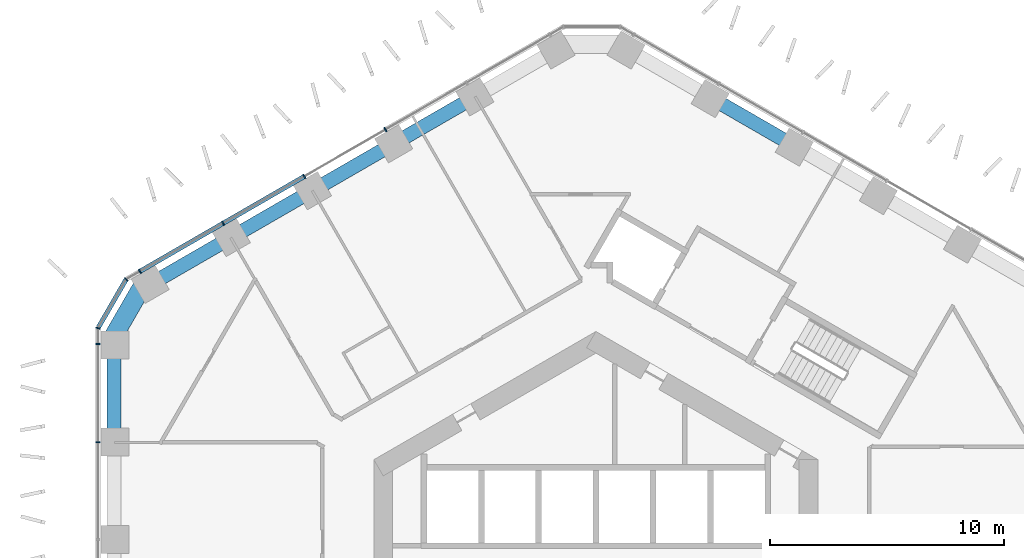
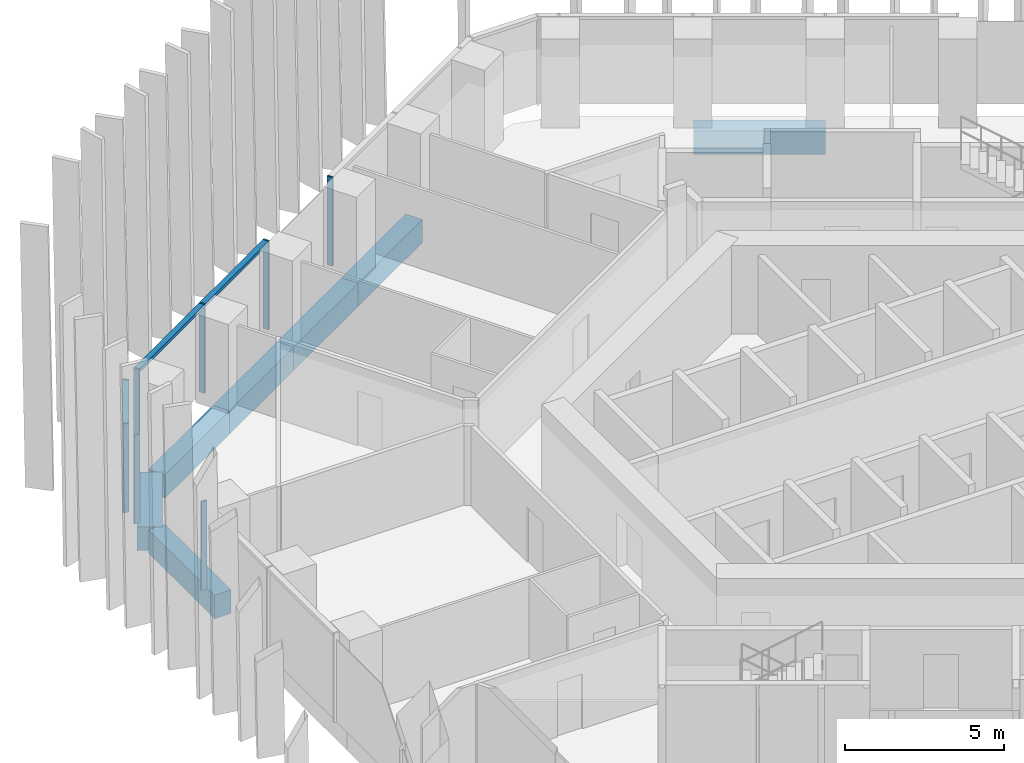
# One storey, part 5 of 20: 10 members, 7 beams, 3 elements without a shape of their own.
"""IFC4 building model written with IfcOpenShell, lengths in metres."""

from ifc_helpers import new_model, si_unit, direction, frame, origin, origin_2d, place, context, subcontext, project, spatial, rectangle, extrude, material, layer, layer_set, material_profile, profile_set, type_object, element, aggregate, save


model = new_model("IFC4")

# Units and contexts
model_context = context("Model", 3, precision=1e-05, world=origin(), true_north=direction((0.0, 1.0)))
body_context = subcontext(model_context, "Body", "Model", "MODEL_VIEW")
ifc_project = project(units=[si_unit("LENGTHUNIT", "METRE"), si_unit("AREAUNIT", "SQUARE_METRE"), si_unit("VOLUMEUNIT", "CUBIC_METRE"), si_unit("PLANEANGLEUNIT", "RADIAN"), si_unit("MASSUNIT", "GRAM", prefix="KILO")], contexts=[model_context])

# Site, building, storey
site_placement = place(None, origin())
site = spatial("IfcSite", under=ifc_project, at=site_placement, CompositionType="ELEMENT")
building_placement = place(site_placement, origin())
building = spatial("IfcBuilding", under=site, at=building_placement, Name="Ayvan Gate Tower", CompositionType="ELEMENT")
storey_placement = place(building_placement, frame((0.0, 0.0, 35.699951171875)))
storey = spatial("IfcBuildingStorey", under=building, at=storey_placement, Name="L08", CompositionType="ELEMENT", Elevation=35.699951171875)

# Beams
ifc_material_1 = material(Name="Concrete C40/50", Category="concrete")
ifc_material_profile_1 = material_profile(ifc_material_1, rectangle(XDim=0.800048828125, YDim=0.89990234375, at=origin_2d()), Name="RC 800x900")
ifc_profile_set_1 = profile_set([ifc_material_profile_1], Name="Concrete C40/50")
beam_type_1 = type_object("IfcBeamType", Name="Corner spandrel beam RC 800x900 C40/50", PredefinedType="BEAM", material=ifc_profile_set_1)
beam_1_placement = place(storey_placement, frame((-19.31103515625, 13.07080078125, -0.800048828125), z_axis=(-0.499990139034, -0.866031096941, 0.0), x_axis=(0.866031096941, -0.499990139034, 0.0)))
element("IfcBeam", 1, at=beam_1_placement, inside=storey, type_object=beam_type_1, Name="SB-L08-18", PredefinedType="BEAM", context=body_context, shape_type="SweptSolid", body=[
    extrude(rectangle(XDim=0.800048828125, YDim=0.89990234375, at=origin_2d()), origin(), (0.0, 0.0, 1.0), 3.0),
])
ifc_material_profile_2 = material_profile(ifc_material_1, rectangle(XDim=0.60009765625, YDim=0.89990234375, at=origin_2d()), Name="RC 600x900")
ifc_profile_set_2 = profile_set([ifc_material_profile_2], Name="Concrete C40/50")
beam_type_2 = type_object("IfcBeamType", Name="Spandrel beam RC 600x900 C40/50", PredefinedType="BEAM", material=ifc_profile_set_2)
beam_2_placement = place(storey_placement, frame((8.515380859375, 18.894287109375, -0.800048828125), z_axis=(-0.866019818373, 0.500009674092, 0.0), x_axis=(-0.500009674092, -0.866019818373, 0.0)))
element("IfcBeam", 2, at=beam_2_placement, inside=storey, type_object=beam_type_2, Name="SB-L08-10", PredefinedType="BEAM", context=body_context, shape_type="SweptSolid", body=[
    extrude(rectangle(XDim=0.60009765625, YDim=0.89990234375, at=origin_2d()), origin(), (0.0, 0.0, 1.0), 4.14501953125),
])
beam_3_placement = place(storey_placement, frame((-5.1552734375, 21.0234375, -0.800048828125), z_axis=(-0.866043397086, -0.499968833392, 0.0), x_axis=(0.499968833392, -0.866043397086, 0.0)))
element("IfcBeam", 3, at=beam_3_placement, inside=storey, type_object=beam_type_2, Name="SB-L08-14", PredefinedType="BEAM", context=body_context, shape_type="SweptSolid", body=[
    extrude(rectangle(XDim=0.60009765625, YDim=0.89990234375, at=origin_2d()), origin(), (0.0, 0.0, 1.0), 4.031494140625),
])
for number, where, z_axis, x_axis, name in (
    (4, (-8.646728515625, 19.0078125, -0.800048828125), (-0.866028258222, -0.499995055936, 0.0), (0.499995055936, -0.866028258222, 0.0), "SB-L08-15"),
    (5, (-12.137939453125, 16.9921875, -0.800048828125), (-0.866028258222, -0.499995055936, 0.0), (0.499995055936, -0.866028258222, 0.0), "SB-L08-16"),
):
    element("IfcBeam", number, at=place(storey_placement, frame(where, z_axis=z_axis, x_axis=x_axis)), inside=storey, type_object=beam_type_2, Name=name, PredefinedType="BEAM", context=body_context, shape_type="SweptSolid", body=[
        extrude(rectangle(XDim=0.60009765625, YDim=0.89990234375, at=origin_2d()), origin(), (0.0, 0.0, 1.0), 4.03125),
    ])
beam_4_placement = place(storey_placement, frame((-15.629150390625, 14.9765625, -0.800048828125), z_axis=(-0.866017175291, -0.500014251897, 0.0), x_axis=(0.500014251897, -0.866017175291, 0.0)))
element("IfcBeam", 6, at=beam_4_placement, inside=storey, type_object=beam_type_2, Name="SB-L08-17", PredefinedType="BEAM", context=body_context, shape_type="SweptSolid", body=[
    extrude(rectangle(XDim=0.60009765625, YDim=0.89990234375, at=origin_2d()), origin(), (0.0, 0.0, 1.0), 4.03173828125),
])
beam_5_placement = place(storey_placement, frame((-20.62060546875, 10.36279296875, -0.800048828125), z_axis=(0.0, -1.0, 0.0), x_axis=(1.0, 0.0, 0.0)))
element("IfcBeam", 7, at=beam_5_placement, inside=storey, type_object=beam_type_2, Name="SB-L08-19", PredefinedType="BEAM", context=body_context, shape_type="SweptSolid", body=[
    extrude(rectangle(XDim=0.60009765625, YDim=0.89990234375, at=origin_2d()), origin(), (0.0, 0.0, 1.0), 4.145263671875),
])

# Curtain wall, members
ifc_material_2 = material(Name="Bronze anodised aluminium", Category="aluminium")
ifc_layer_1 = layer(ifc_material_2, 0.199951171875)
ifc_layer_set_1 = layer_set([ifc_layer_1], Name="Bronze anodised aluminium")
curtain_wall_type_1 = type_object("IfcCurtainWallType", Name="Stick curtain wall CW-1", PredefinedType="NOTDEFINED", material=ifc_layer_set_1)
curtain_wall_1_placement = place(storey_placement, origin())
curtain_wall_1 = element("IfcCurtainWall", 8, at=curtain_wall_1_placement, inside=storey, type_object=curtain_wall_type_1, Name="Stick curtain wall CW-1 L08", PredefinedType="NOTDEFINED")
ifc_material_profile_3 = material_profile(ifc_material_2, rectangle(XDim=0.199951171875, YDim=0.06005859375, at=origin_2d()), Name="Stick curtain wall CW-1 mullion 200 x 60")
ifc_profile_set_3 = profile_set([ifc_material_profile_3], Name="Bronze anodised aluminium")
member_type_1 = type_object("IfcMemberType", Name="Stick curtain wall CW-1 mullion 200 x 60", PredefinedType="MULLION", material=ifc_profile_set_3)
member_1_placement = place(storey_placement, frame((-9.00537109375, 19.60888671875, 0.0), z_axis=(0.0, 0.0, 1.0), x_axis=(-0.5, 0.866025403784, 0.0)))
member_1 = element("IfcMember", 9, at=member_1_placement, type_object=member_type_1, Name="CW-1 mullion 3", PredefinedType="MULLION", context=body_context, shape_type="SweptSolid", body=[
    extrude(rectangle(XDim=0.199951171875, YDim=0.06005859375, at=origin_2d()), origin(), (0.0, 0.0, 1.0), 3.400146484375),
])
member_2_placement = place(storey_placement, frame((-12.47900390625, 17.603515625, 0.0), z_axis=(0.0, 0.0, 1.0), x_axis=(-0.5, 0.866025403784, 0.0)))
member_2 = element("IfcMember", 10, at=member_2_placement, type_object=member_type_1, Name="CW-1 mullion 4", PredefinedType="MULLION", context=body_context, shape_type="SweptSolid", body=[
    extrude(rectangle(XDim=0.199951171875, YDim=0.06005859375, at=origin_2d()), origin(), (0.0, 0.0, 1.0), 3.400146484375),
])
member_3_placement = place(storey_placement, frame((-15.95263671875, 15.597900390625, 0.0), z_axis=(0.0, 0.0, 1.0), x_axis=(-0.5, 0.866025403784, 0.0)))
member_3 = element("IfcMember", 11, at=member_3_placement, type_object=member_type_1, Name="CW-1 mullion 5", PredefinedType="MULLION", context=body_context, shape_type="SweptSolid", body=[
    extrude(rectangle(XDim=0.199951171875, YDim=0.06005859375, at=origin_2d()), origin(), (0.0, 0.0, 1.0), 3.400146484375),
])
member_4_placement = place(storey_placement, frame((-19.510498046875, 13.5439453125, 0.0), z_axis=(0.0, 0.0, 1.0), x_axis=(-0.5, 0.866025403784, 0.0)))
member_4 = element("IfcMember", 12, at=member_4_placement, type_object=member_type_1, Name="CW-1 mullion 6", PredefinedType="MULLION", context=body_context, shape_type="SweptSolid", body=[
    extrude(rectangle(XDim=0.199951171875, YDim=0.06005859375, at=origin_2d()), origin(), (0.0, 0.0, 1.0), 3.400146484375),
])

curtain_wall_2_placement = place(storey_placement, origin())
curtain_wall_2 = element("IfcCurtainWall", 13, at=curtain_wall_2_placement, inside=storey, type_object=curtain_wall_type_1, Name="Stick curtain wall CW-1 L08", PredefinedType="NOTDEFINED")
member_5_placement = place(storey_placement, frame((-21.306640625, 10.432861328125, 0.0), z_axis=(0.0, 0.0, 1.0), x_axis=(-1.0, 0.0, 0.0)))
member_5 = element("IfcMember", 14, at=member_5_placement, type_object=member_type_1, Name="CW-1 mullion 1", PredefinedType="MULLION", context=body_context, shape_type="SweptSolid", body=[
    extrude(rectangle(XDim=0.199951171875, YDim=0.06005859375, at=origin_2d()), origin(), (0.0, 0.0, 1.0), 3.400146484375),
])
member_6_placement = place(storey_placement, frame((-21.306640625, 6.23291015625, 0.0), z_axis=(0.0, 0.0, 1.0), x_axis=(-1.0, 0.0, 0.0)))
member_6 = element("IfcMember", 15, at=member_6_placement, type_object=member_type_1, Name="CW-1 mullion 2", PredefinedType="MULLION", context=body_context, shape_type="SweptSolid", body=[
    extrude(rectangle(XDim=0.199951171875, YDim=0.06005859375, at=origin_2d()), origin(), (0.0, 0.0, 1.0), 3.400146484375),
])
aggregate(curtain_wall_2, [member_5, member_6])

# Member
ifc_material_profile_4 = material_profile(ifc_material_2, rectangle(XDim=0.199951171875, YDim=0.1201171875, at=origin_2d()), Name="Stick curtain wall CW-1 transom 200 x 120")
ifc_profile_set_4 = profile_set([ifc_material_profile_4], Name="Bronze anodised aluminium")
member_type_2 = type_object("IfcMemberType", Name="Stick curtain wall CW-1 transom 200 x 120", PredefinedType="USERDEFINED", material=ifc_profile_set_4)
member_7_placement = place(storey_placement, frame((-12.505126953125, 17.58837890625, 3.340087890625), z_axis=(-0.866031789557, -0.499988939354, 0.0), x_axis=(0.499988939354, -0.866031789557, 0.0)))
member_7 = element("IfcMember", 16, at=member_7_placement, type_object=member_type_2, Name="CW-1 transom 2", ObjectType="TRANSOM", PredefinedType="USERDEFINED", context=body_context, shape_type="SweptSolid", body=[
    extrude(rectangle(XDim=0.199951171875, YDim=0.1201171875, at=origin_2d()), origin(), (0.0, 0.0, 1.0), 8.089111328125),
])

aggregate(curtain_wall_1, [member_1, member_2, member_3, member_4, member_7])

# Curtain wall, members
ifc_layer_2 = layer(ifc_material_2, 0.199951171875)
ifc_layer_set_2 = layer_set([ifc_layer_2], Name="Bronze anodised aluminium")
curtain_wall_type_2 = type_object("IfcCurtainWallType", Name="Stick curtain wall CW-6", PredefinedType="NOTDEFINED", material=ifc_layer_set_2)
curtain_wall_3_placement = place(storey_placement, origin())
curtain_wall_3 = element("IfcCurtainWall", 17, at=curtain_wall_3_placement, inside=storey, type_object=curtain_wall_type_2, Name="Stick curtain wall CW-6 L08", PredefinedType="NOTDEFINED")
ifc_material_profile_5 = material_profile(ifc_material_2, rectangle(XDim=0.199951171875, YDim=0.050048828125, at=origin_2d()), Name="Stick curtain wall CW-6 mullion 200 x 50")
ifc_profile_set_5 = profile_set([ifc_material_profile_5], Name="Bronze anodised aluminium")
member_type_3 = type_object("IfcMemberType", Name="Stick curtain wall CW-6 mullion 200 x 50", PredefinedType="MULLION", material=ifc_profile_set_5)
member_8_placement = place(storey_placement, frame((-20.099365234375, 13.203857421875, 0.0), z_axis=(0.0, 0.0, 1.0), x_axis=(-0.707106781187, 0.707106781187, 0.0)))
member_8 = element("IfcMember", 18, at=member_8_placement, type_object=member_type_3, Name="CW-6 mullion 2", PredefinedType="MULLION", context=body_context, shape_type="SweptSolid", body=[
    extrude(rectangle(XDim=0.199951171875, YDim=0.050048828125, at=origin_2d()), origin(), (0.0, 0.0, 1.0), 3.400146484375),
])
member_9_placement = place(storey_placement, frame((-21.306640625, 11.11279296875, 0.0), z_axis=(0.0, 0.0, 1.0), x_axis=(-0.965925826289, 0.258819045103, 0.0)))
member_9 = element("IfcMember", 19, at=member_9_placement, type_object=member_type_3, Name="CW-6 mullion 3", PredefinedType="MULLION", context=body_context, shape_type="SweptSolid", body=[
    extrude(rectangle(XDim=0.199951171875, YDim=0.050048828125, at=origin_2d()), origin(), (0.0, 0.0, 1.0), 3.400146484375),
])
ifc_material_profile_6 = material_profile(ifc_material_2, rectangle(XDim=0.199951171875, YDim=0.1201171875, at=origin_2d()), Name="Stick curtain wall CW-6 transom 200 x 120")
ifc_profile_set_6 = profile_set([ifc_material_profile_6], Name="Bronze anodised aluminium")
member_type_4 = type_object("IfcMemberType", Name="Stick curtain wall CW-6 transom 200 x 120", PredefinedType="USERDEFINED", material=ifc_profile_set_6)
member_10_placement = place(storey_placement, frame((-20.11181640625, 13.182373046875, 3.340087890625), z_axis=(-0.500014398087, -0.866017090885, 0.0), x_axis=(0.866017090885, -0.500014398087, 0.0)))
member_10 = element("IfcMember", 20, at=member_10_placement, type_object=member_type_4, Name="CW-6 transom 2", ObjectType="TRANSOM", PredefinedType="USERDEFINED", context=body_context, shape_type="SweptSolid", body=[
    extrude(rectangle(XDim=0.199951171875, YDim=0.1201171875, at=origin_2d()), origin(), (0.0, 0.0, 1.0), 2.36474609375),
])
aggregate(curtain_wall_3, [member_8, member_9, member_10])

save(model, "model.ifc")
